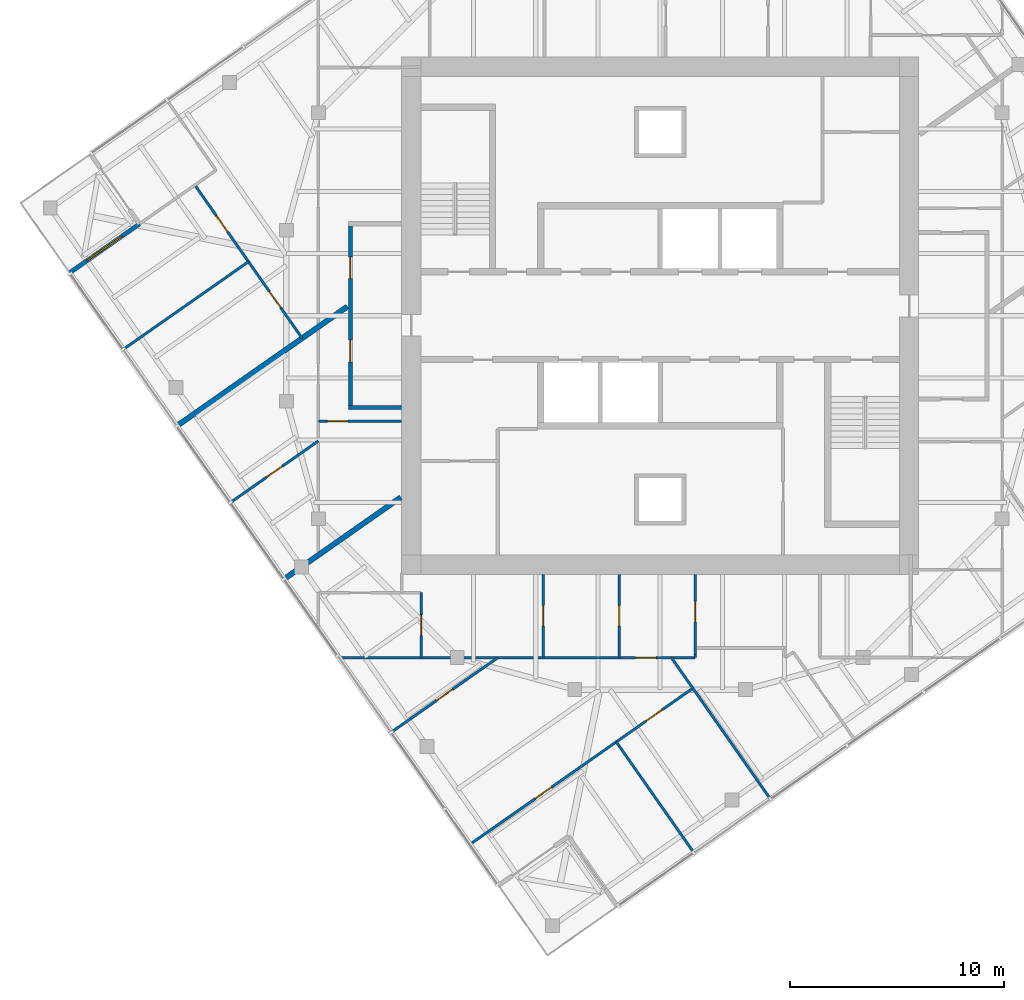
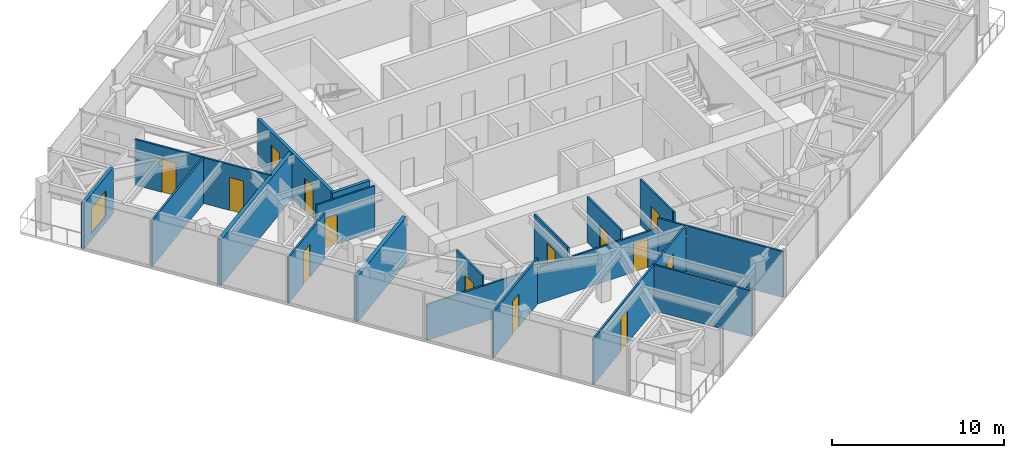
# One storey, part 7 of 12: 19 walls, 14 doors, 1 window, 15 openings.
"""IFC4 building model written with IfcOpenShell, lengths in metres."""

from ifc_helpers import new_model, si_unit, direction, frame, frame_2d, origin, place, context, subcontext, project, spatial, rectangle, extrude, material, layer, layer_set, type_object, element, fill, save


model = new_model("IFC4")

# Units and contexts
model_context = context("Model", 3, precision=1e-05, world=origin(), true_north=direction((0.0, 1.0)))
body_context = subcontext(model_context, "Body", "Model", "MODEL_VIEW")
ifc_project = project(units=[si_unit("LENGTHUNIT", "METRE"), si_unit("AREAUNIT", "SQUARE_METRE"), si_unit("VOLUMEUNIT", "CUBIC_METRE"), si_unit("PLANEANGLEUNIT", "RADIAN"), si_unit("MASSUNIT", "GRAM", prefix="KILO")], contexts=[model_context])

# Site, building, storey
site_placement = place(None, origin())
site = spatial("IfcSite", under=ifc_project, at=site_placement, CompositionType="ELEMENT")
building_placement = place(site_placement, origin())
building = spatial("IfcBuilding", under=site, at=building_placement, Name="Torsade Residences", CompositionType="ELEMENT")
storey_placement = place(building_placement, frame((0.0, 0.0, 250.60009765625)))
storey = spatial("IfcBuildingStorey", under=building, at=storey_placement, Name="L69", CompositionType="ELEMENT", Elevation=250.60009765625)

# Wall, openings, doors
ifc_material_1 = material(Name="Plasterboard on steel stud", Category="steel")
ifc_layer_1 = layer(ifc_material_1, 0.199951171875)
ifc_layer_set_1 = layer_set([ifc_layer_1], Name="Plasterboard on steel stud")
wall_type_1 = type_object("IfcWallType", Name="CORRIDOR WALL 200", PredefinedType="PARTITIONING", material=ifc_layer_set_1)
wall_1_placement = place(storey_placement, frame((25.5, 25.699951171875, 0.0), z_axis=(0.0, 0.0, 1.0), x_axis=(0.0, 1.0, 0.0)))
wall_1 = element("IfcWall", 1, at=wall_1_placement, inside=storey, type_object=wall_type_1, Name="Corridor wall L69", PredefinedType="PARTITIONING", context=body_context, shape_type="SweptSolid", body=[
    extrude(rectangle(XDim=8.60009765625, YDim=0.199951171875, at=frame_2d((4.300048828125, 0.0))), origin(), (0.0, 0.0, 1.0), 3.25),
])
opening_1_placement = place(wall_1_placement, frame((2.14208984375, 0.0, 0.0)))
opening_1 = element("IfcOpeningElement", 2, at=opening_1_placement, cuts=wall_1, Name="Opening D01", PredefinedType="OPENING", context=body_context, shape_type="SweptSolid", body=[
    extrude(rectangle(XDim=1.02001953125, YDim=2.340087890625, at=frame_2d((0.510009765625, 1.169921875))), frame((0.0, 0.10986328125, 0.0), z_axis=(0.0, -1.0, 0.0), x_axis=(1.0, 0.0, 0.0)), (0.0, 0.0, 1.0), 0.219970703125),
])
opening_2_placement = place(wall_1_placement, frame((6.036865234375, 0.0, 0.0)))
opening_2 = element("IfcOpeningElement", 3, at=opening_2_placement, cuts=wall_1, Name="Opening D01", PredefinedType="OPENING", context=body_context, shape_type="SweptSolid", body=[
    extrude(rectangle(XDim=1.02001953125, YDim=2.340087890625, at=frame_2d((0.510009765625, 1.169921875))), frame((0.0, 0.10986328125, 0.0), z_axis=(0.0, -1.0, 0.0), x_axis=(1.0, 0.0, 0.0)), (0.0, 0.0, 1.0), 0.219970703125),
])
ifc_material_2 = material(Name="Solid-core timber fire door", Category="wood")
door_type_1 = type_object("IfcDoorType", Name="APARTMENT ENTRY DOOR 1020x2340", OperationType="NOTDEFINED", PredefinedType="DOOR", material=ifc_material_2)
door_1_placement = place(opening_1_placement, origin())
door_1 = element("IfcDoor", 4, at=door_1_placement, inside=storey, type_object=door_type_1, Name="Door Residential corridor to Kitchen and dining", OperationType="SINGLE_SWING_RIGHT", OverallHeight=2.340087890625, OverallWidth=1.02001953125, PredefinedType="DOOR", context=body_context, shape_type="SweptSolid", body=[
    extrude(rectangle(XDim=1.02001953125, YDim=2.340087890625, at=frame_2d((0.510009765625, 1.169921875))), frame((0.0, 0.02490234375, 0.0), z_axis=(0.0, -1.0, 0.0), x_axis=(1.0, 0.0, 0.0)), (0.0, 0.0, 1.0), 0.050048828125),
])
fill(opening_1, door_1)
door_2_placement = place(opening_2_placement, origin())
door_2 = element("IfcDoor", 5, at=door_2_placement, inside=storey, type_object=door_type_1, Name="Door Residential corridor to Kitchen and dining", OperationType="SINGLE_SWING_LEFT", OverallHeight=2.340087890625, OverallWidth=1.02001953125, PredefinedType="DOOR", context=body_context, shape_type="SweptSolid", body=[
    extrude(rectangle(XDim=1.02001953125, YDim=2.340087890625, at=frame_2d((0.510009765625, 1.169921875))), frame((0.0, 0.02490234375, 0.0), z_axis=(0.0, -1.0, 0.0), x_axis=(1.0, 0.0, 0.0)), (0.0, 0.0, 1.0), 0.050048828125),
])
fill(opening_2, door_2)

# Wall
wall_2_placement = place(storey_placement, frame((27.89990234375, 25.699951171875, 0.0), z_axis=(0.0, 0.0, 1.0), x_axis=(-1.0, 0.0, 0.0)))
element("IfcWall", 6, at=wall_2_placement, inside=storey, type_object=wall_type_1, Name="Corridor wall L69", PredefinedType="PARTITIONING", context=body_context, shape_type="SweptSolid", body=[
    extrude(rectangle(XDim=2.5, YDim=0.199951171875, at=frame_2d((1.25, 0.0))), origin(), (0.0, 0.0, 1.0), 3.25),
])

# Wall, opening, door
ifc_material_3 = material(Name="Plasterboard on steel stud", Category="steel")
ifc_layer_2 = layer(ifc_material_3, 0.1201171875)
ifc_layer_set_2 = layer_set([ifc_layer_2], Name="Plasterboard on steel stud")
wall_type_2 = type_object("IfcWallType", Name="PARTITION 120", PredefinedType="PARTITIONING", material=ifc_layer_set_2)
wall_3_placement = place(storey_placement, frame((27.89990234375, 25.06787109375, 0.0), z_axis=(0.0, 0.0, 1.0), x_axis=(-1.0, 0.0, 0.0)))
wall_3 = element("IfcWall", 7, at=wall_3_placement, inside=storey, type_object=wall_type_2, Name="Partition L69", PredefinedType="PARTITIONING", context=body_context, shape_type="SweptSolid", body=[
    extrude(rectangle(XDim=3.89990234375, YDim=0.1201171875, at=frame_2d((1.949951171875, 0.0))), origin(), (0.0, 0.0, 1.0), 3.25),
])
opening_3_placement = place(wall_3_placement, frame((2.52001953125, 0.0, 0.0)))
opening_3 = element("IfcOpeningElement", 8, at=opening_3_placement, cuts=wall_3, Name="Opening D05", PredefinedType="OPENING", context=body_context, shape_type="SweptSolid", body=[
    extrude(rectangle(XDim=0.9599609375, YDim=2.10009765625, at=frame_2d((0.47998046875, 1.050048828125))), frame((0.0, 0.070068359375, 0.0), z_axis=(0.0, -1.0, 0.0), x_axis=(1.0, 0.0, 0.0)), (0.0, 0.0, 1.0), 0.14013671875),
])
ifc_material_4 = material(Name="Hollow-core timber door in a steel cavity frame", Category="steel")
door_type_2 = type_object("IfcDoorType", Name="BATHROOM CAVITY SLIDING DOOR 960", OperationType="SLIDING_TO_LEFT", PredefinedType="DOOR", material=ifc_material_4)
door_3_placement = place(opening_3_placement, origin())
door_3 = element("IfcDoor", 9, at=door_3_placement, inside=storey, type_object=door_type_2, Name="Door Kitchen and dining to Bathroom", OperationType="SLIDING_TO_LEFT", OverallHeight=2.10009765625, OverallWidth=0.9599609375, PredefinedType="DOOR", context=body_context, shape_type="SweptSolid", body=[
    extrude(rectangle(XDim=0.9599609375, YDim=2.10009765625, at=frame_2d((0.47998046875, 1.050048828125))), frame((0.0, 0.02490234375, 0.0), z_axis=(0.0, -1.0, 0.0), x_axis=(1.0, 0.0, 0.0)), (0.0, 0.0, 1.0), 0.050048828125),
])
fill(opening_3, door_3)

wall_4_placement = place(storey_placement, frame((24.0, 24.1376953125, 0.0), z_axis=(0.0, 0.0, 1.0), x_axis=(-0.819144584763, -0.57358708951, 0.0)))
wall_4 = element("IfcWall", 10, at=wall_4_placement, inside=storey, type_object=wall_type_2, Name="Partition L69", PredefinedType="PARTITIONING", context=body_context, shape_type="SweptSolid", body=[
    extrude(rectangle(XDim=4.990966796875, YDim=0.1201171875, at=frame_2d((2.49560546875, 0.0))), origin(), (0.0, 0.0, 1.0), 3.25),
])
opening_4_placement = place(wall_4_placement, frame((2.055419921875, 0.0, 0.0)))
opening_4 = element("IfcOpeningElement", 11, at=opening_4_placement, cuts=wall_4, Name="Opening D02", PredefinedType="OPENING", context=body_context, shape_type="SweptSolid", body=[
    extrude(rectangle(XDim=0.919921875, YDim=2.340087890625, at=frame_2d((0.4599609375, 1.169921875))), frame((0.0, 0.070068359375, 0.0), z_axis=(0.0, -1.0, 0.0), x_axis=(1.0, 0.0, 0.0)), (0.0, 0.0, 1.0), 0.14013671875),
])
ifc_material_5 = material(Name="Hollow-core timber door", Category="wood")
door_type_3 = type_object("IfcDoorType", Name="INTERNAL DOOR 920x2340", OperationType="NOTDEFINED", PredefinedType="DOOR", material=ifc_material_5)
door_4_placement = place(opening_4_placement, origin())
door_4 = element("IfcDoor", 12, at=door_4_placement, inside=storey, type_object=door_type_3, Name="Door Living room to Bedroom 1", OperationType="SINGLE_SWING_LEFT", OverallHeight=2.340087890625, OverallWidth=0.919921875, PredefinedType="DOOR", context=body_context, shape_type="SweptSolid", body=[
    extrude(rectangle(XDim=0.919921875, YDim=2.340087890625, at=frame_2d((0.4599609375, 1.169921875))), frame((0.0, 0.02490234375, 0.0), z_axis=(0.0, -1.0, 0.0), x_axis=(1.0, 0.0, 0.0)), (0.0, 0.0, 1.0), 0.050048828125),
])
fill(opening_4, door_4)

wall_5_placement = place(storey_placement, frame((28.80712890625, 17.041259765625, 0.0), z_axis=(0.0, 0.0, 1.0), x_axis=(0.0, -1.0, 0.0)))
wall_5 = element("IfcWall", 13, at=wall_5_placement, inside=storey, type_object=wall_type_2, Name="Partition L69", PredefinedType="PARTITIONING", context=body_context, shape_type="SweptSolid", body=[
    extrude(rectangle(XDim=3.041259765625, YDim=0.1201171875, at=frame_2d((1.5205078125, 0.0))), origin(), (0.0, 0.0, 1.0), 3.25),
])
opening_5_placement = place(wall_5_placement, frame((1.04052734375, 0.0, 0.0)))
opening_5 = element("IfcOpeningElement", 14, at=opening_5_placement, cuts=wall_5, Name="Opening D05", PredefinedType="OPENING", context=body_context, shape_type="SweptSolid", body=[
    extrude(rectangle(XDim=0.9599609375, YDim=2.10009765625, at=frame_2d((0.47998046875, 1.050048828125))), frame((0.0, 0.070068359375, 0.0), z_axis=(0.0, -1.0, 0.0), x_axis=(1.0, 0.0, 0.0)), (0.0, 0.0, 1.0), 0.14013671875),
])
door_5_placement = place(opening_5_placement, origin())
door_5 = element("IfcDoor", 15, at=door_5_placement, inside=storey, type_object=door_type_2, Name="Door WC to Dressing room", OperationType="SLIDING_TO_LEFT", OverallHeight=2.10009765625, OverallWidth=0.9599609375, PredefinedType="DOOR", context=body_context, shape_type="SweptSolid", body=[
    extrude(rectangle(XDim=0.9599609375, YDim=2.10009765625, at=frame_2d((0.47998046875, 1.050048828125))), frame((0.0, 0.02490234375, 0.0), z_axis=(0.0, -1.0, 0.0), x_axis=(1.0, 0.0, 0.0)), (0.0, 0.0, 1.0), 0.050048828125),
])
fill(opening_5, door_5)

wall_6_placement = place(storey_placement, frame((41.633544921875, 14.0, 0.0), z_axis=(0.0, 0.0, 1.0), x_axis=(-1.0, 0.0, 0.0)))
wall_6 = element("IfcWall", 16, at=wall_6_placement, inside=storey, type_object=wall_type_2, Name="Partition L69", PredefinedType="PARTITIONING", context=body_context, shape_type="SweptSolid", body=[
    extrude(rectangle(XDim=16.6279296875, YDim=0.1201171875, at=frame_2d((8.31396484375, 0.0))), origin(), (0.0, 0.0, 1.0), 2.5498046875),
])
opening_6_placement = place(wall_6_placement, frame((1.8212890625, 0.0, 0.0)))
opening_6 = element("IfcOpeningElement", 17, at=opening_6_placement, cuts=wall_6, Name="Opening D05", PredefinedType="OPENING", context=body_context, shape_type="SweptSolid", body=[
    extrude(rectangle(XDim=0.9599609375, YDim=2.10009765625, at=frame_2d((0.47998046875, 1.050048828125))), frame((0.0, 0.070068359375, 0.0), z_axis=(0.0, -1.0, 0.0), x_axis=(1.0, 0.0, 0.0)), (0.0, 0.0, 1.0), 0.14013671875),
])
door_6_placement = place(opening_6_placement, origin())
door_6 = element("IfcDoor", 18, at=door_6_placement, inside=storey, type_object=door_type_2, Name="Door Ensuite to Living room", OperationType="SLIDING_TO_LEFT", OverallHeight=2.10009765625, OverallWidth=0.9599609375, PredefinedType="DOOR", context=body_context, shape_type="SweptSolid", body=[
    extrude(rectangle(XDim=0.9599609375, YDim=2.10009765625, at=frame_2d((0.47998046875, 1.050048828125))), frame((0.0, 0.02490234375, 0.0), z_axis=(0.0, -1.0, 0.0), x_axis=(1.0, 0.0, 0.0)), (0.0, 0.0, 1.0), 0.050048828125),
])
fill(opening_6, door_6)

wall_7_placement = place(storey_placement, frame((34.5302734375, 17.89990234375, 0.0), z_axis=(0.0, 0.0, 1.0), x_axis=(0.0, -1.0, 0.0)))
wall_7 = element("IfcWall", 19, at=wall_7_placement, inside=storey, type_object=wall_type_2, Name="Partition L69", PredefinedType="PARTITIONING", context=body_context, shape_type="SweptSolid", body=[
    extrude(rectangle(XDim=3.89990234375, YDim=0.1201171875, at=frame_2d((1.949951171875, 0.0))), origin(), (0.0, 0.0, 1.0), 3.25),
])
opening_7_placement = place(wall_7_placement, frame((1.469970703125, 0.0, 0.0)))
opening_7 = element("IfcOpeningElement", 20, at=opening_7_placement, cuts=wall_7, Name="Opening D05", PredefinedType="OPENING", context=body_context, shape_type="SweptSolid", body=[
    extrude(rectangle(XDim=0.9599609375, YDim=2.10009765625, at=frame_2d((0.47998046875, 1.050048828125))), frame((0.0, 0.070068359375, 0.0), z_axis=(0.0, -1.0, 0.0), x_axis=(1.0, 0.0, 0.0)), (0.0, 0.0, 1.0), 0.14013671875),
])
door_7_placement = place(opening_7_placement, origin())
door_7 = element("IfcDoor", 21, at=door_7_placement, inside=storey, type_object=door_type_2, Name="Door Dressing room 2 to WC", OperationType="SLIDING_TO_LEFT", OverallHeight=2.10009765625, OverallWidth=0.9599609375, PredefinedType="DOOR", context=body_context, shape_type="SweptSolid", body=[
    extrude(rectangle(XDim=0.9599609375, YDim=2.10009765625, at=frame_2d((0.47998046875, 1.050048828125))), frame((0.0, 0.02490234375, 0.0), z_axis=(0.0, -1.0, 0.0), x_axis=(1.0, 0.0, 0.0)), (0.0, 0.0, 1.0), 0.050048828125),
])
fill(opening_7, door_7)

wall_8_placement = place(storey_placement, frame((38.081787109375, 14.0, 0.0), z_axis=(0.0, 0.0, 1.0), x_axis=(0.0, 1.0, 0.0)))
wall_8 = element("IfcWall", 22, at=wall_8_placement, inside=storey, type_object=wall_type_2, Name="Partition L69", PredefinedType="PARTITIONING", context=body_context, shape_type="SweptSolid", body=[
    extrude(rectangle(XDim=3.89990234375, YDim=0.1201171875, at=frame_2d((1.949951171875, 0.0))), origin(), (0.0, 0.0, 1.0), 3.25),
])
opening_8_placement = place(wall_8_placement, frame((1.469970703125, 0.0, 0.0)))
opening_8 = element("IfcOpeningElement", 23, at=opening_8_placement, cuts=wall_8, Name="Opening D05", PredefinedType="OPENING", context=body_context, shape_type="SweptSolid", body=[
    extrude(rectangle(XDim=0.9599609375, YDim=2.10009765625, at=frame_2d((0.47998046875, 1.050048828125))), frame((0.0, 0.070068359375, 0.0), z_axis=(0.0, -1.0, 0.0), x_axis=(1.0, 0.0, 0.0)), (0.0, 0.0, 1.0), 0.14013671875),
])
door_8_placement = place(opening_8_placement, origin())
door_8 = element("IfcDoor", 24, at=door_8_placement, inside=storey, type_object=door_type_2, Name="Door Ensuite to Dressing room 2", OperationType="SLIDING_TO_LEFT", OverallHeight=2.10009765625, OverallWidth=0.9599609375, PredefinedType="DOOR", context=body_context, shape_type="SweptSolid", body=[
    extrude(rectangle(XDim=0.9599609375, YDim=2.10009765625, at=frame_2d((0.47998046875, 1.050048828125))), frame((0.0, 0.02490234375, 0.0), z_axis=(0.0, -1.0, 0.0), x_axis=(1.0, 0.0, 0.0)), (0.0, 0.0, 1.0), 0.050048828125),
])
fill(opening_8, door_8)

wall_9_placement = place(storey_placement, frame((41.633544921875, 17.89990234375, 0.0), z_axis=(0.0, 0.0, 1.0), x_axis=(0.0, -1.0, 0.0)))
wall_9 = element("IfcWall", 25, at=wall_9_placement, inside=storey, type_object=wall_type_2, Name="Partition L69", PredefinedType="PARTITIONING", context=body_context, shape_type="SweptSolid", body=[
    extrude(rectangle(XDim=3.74560546875, YDim=0.1201171875, at=frame_2d((1.872802734375, 0.0))), origin(), (0.0, 0.0, 1.0), 3.25),
])
opening_9_placement = place(wall_9_placement, frame((1.27001953125, 0.0, 0.0)))
opening_9 = element("IfcOpeningElement", 26, at=opening_9_placement, cuts=wall_9, Name="Opening D05", PredefinedType="OPENING", context=body_context, shape_type="SweptSolid", body=[
    extrude(rectangle(XDim=0.9599609375, YDim=2.10009765625, at=frame_2d((0.47998046875, 1.050048828125))), frame((0.0, 0.070068359375, 0.0), z_axis=(0.0, -1.0, 0.0), x_axis=(1.0, 0.0, 0.0)), (0.0, 0.0, 1.0), 0.14013671875),
])
door_9_placement = place(opening_9_placement, origin())
door_9 = element("IfcDoor", 27, at=door_9_placement, inside=storey, type_object=door_type_2, Name="Door Dining room to Ensuite", OperationType="SLIDING_TO_LEFT", OverallHeight=2.10009765625, OverallWidth=0.9599609375, PredefinedType="DOOR", context=body_context, shape_type="SweptSolid", body=[
    extrude(rectangle(XDim=0.9599609375, YDim=2.10009765625, at=frame_2d((0.47998046875, 1.050048828125))), frame((0.0, 0.02490234375, 0.0), z_axis=(0.0, -1.0, 0.0), x_axis=(1.0, 0.0, 0.0)), (0.0, 0.0, 1.0), 0.050048828125),
])
fill(opening_9, door_9)

# Wall, openings, doors
wall_10_placement = place(storey_placement, frame((41.528076171875, 12.5625, 0.0), z_axis=(0.0, 0.0, 1.0), x_axis=(-0.819155207289, -0.573571919092, 0.0)))
wall_10 = element("IfcWall", 28, at=wall_10_placement, inside=storey, type_object=wall_type_2, Name="Partition L69", PredefinedType="PARTITIONING", context=body_context, shape_type="SweptSolid", body=[
    extrude(rectangle(XDim=12.7099609375, YDim=0.1201171875, at=frame_2d((6.35498046875, 0.0))), origin(), (0.0, 0.0, 1.0), 3.25),
])
opening_10_placement = place(wall_10_placement, frame((8.077392578125, 0.0, 0.0)))
opening_10 = element("IfcOpeningElement", 29, at=opening_10_placement, cuts=wall_10, Name="Opening D02", PredefinedType="OPENING", context=body_context, shape_type="SweptSolid", body=[
    extrude(rectangle(XDim=0.919921875, YDim=2.340087890625, at=frame_2d((0.4599609375, 1.169921875))), frame((0.0, 0.070068359375, 0.0), z_axis=(0.0, -1.0, 0.0), x_axis=(1.0, 0.0, 0.0)), (0.0, 0.0, 1.0), 0.14013671875),
])
opening_11_placement = place(wall_10_placement, frame((1.75244140625, 0.0, 0.0)))
opening_11 = element("IfcOpeningElement", 30, at=opening_11_placement, cuts=wall_10, Name="Opening D02", PredefinedType="OPENING", context=body_context, shape_type="SweptSolid", body=[
    extrude(rectangle(XDim=0.919921875, YDim=2.340087890625, at=frame_2d((0.4599609375, 1.169921875))), frame((0.0, 0.070068359375, 0.0), z_axis=(0.0, -1.0, 0.0), x_axis=(1.0, 0.0, 0.0)), (0.0, 0.0, 1.0), 0.14013671875),
])
door_10_placement = place(opening_10_placement, origin())
door_10 = element("IfcDoor", 31, at=door_10_placement, inside=storey, type_object=door_type_3, Name="Door Living room to Bedroom 1", OperationType="SINGLE_SWING_LEFT", OverallHeight=2.340087890625, OverallWidth=0.919921875, PredefinedType="DOOR", context=body_context, shape_type="SweptSolid", body=[
    extrude(rectangle(XDim=0.919921875, YDim=2.340087890625, at=frame_2d((0.4599609375, 1.169921875))), frame((0.0, 0.02490234375, 0.0), z_axis=(0.0, -1.0, 0.0), x_axis=(1.0, 0.0, 0.0)), (0.0, 0.0, 1.0), 0.050048828125),
])
fill(opening_10, door_10)
door_11_placement = place(opening_11_placement, origin())
door_11 = element("IfcDoor", 32, at=door_11_placement, inside=storey, type_object=door_type_3, Name="Door Living room to Study 2", OperationType="SINGLE_SWING_LEFT", OverallHeight=2.340087890625, OverallWidth=0.919921875, PredefinedType="DOOR", context=body_context, shape_type="SweptSolid", body=[
    extrude(rectangle(XDim=0.919921875, YDim=2.340087890625, at=frame_2d((0.4599609375, 1.169921875))), frame((0.0, 0.02490234375, 0.0), z_axis=(0.0, -1.0, 0.0), x_axis=(1.0, 0.0, 0.0)), (0.0, 0.0, 1.0), 0.050048828125),
])
fill(opening_11, door_11)

# Wall
wall_11_placement = place(storey_placement, frame((40.521484375, 14.0, 0.0), z_axis=(0.0, 0.0, 1.0), x_axis=(0.573574225095, -0.819153592623, 0.0)))
element("IfcWall", 33, at=wall_11_placement, inside=storey, type_object=wall_type_2, Name="Partition L69", PredefinedType="PARTITIONING", context=body_context, shape_type="SweptSolid", body=[
    extrude(rectangle(XDim=8.054443359375, YDim=0.1201171875, at=frame_2d((4.02734375, 0.0))), origin(), (0.0, 0.0, 1.0), 3.25),
])

# Wall, opening, door
wall_12_placement = place(storey_placement, frame((27.439697265625, 10.5234375, 0.0), z_axis=(0.0, 0.0, 1.0), x_axis=(0.81915432861, 0.573573173989, 0.0)))
wall_12 = element("IfcWall", 34, at=wall_12_placement, inside=storey, type_object=wall_type_2, Name="Partition L69", PredefinedType="PARTITIONING", context=body_context, shape_type="SweptSolid", body=[
    extrude(rectangle(XDim=6.061279296875, YDim=0.1201171875, at=frame_2d((3.03076171875, 0.0))), origin(), (0.0, 0.0, 1.0), 3.25),
])
opening_12_placement = place(wall_12_placement, frame((2.550537109375, 0.0, 0.0)))
opening_12 = element("IfcOpeningElement", 35, at=opening_12_placement, cuts=wall_12, Name="Opening D02", PredefinedType="OPENING", context=body_context, shape_type="SweptSolid", body=[
    extrude(rectangle(XDim=0.919921875, YDim=2.340087890625, at=frame_2d((0.4599609375, 1.169921875))), frame((0.0, 0.070068359375, 0.0), z_axis=(0.0, -1.0, 0.0), x_axis=(1.0, 0.0, 0.0)), (0.0, 0.0, 1.0), 0.14013671875),
])
door_12_placement = place(opening_12_placement, origin())
door_12 = element("IfcDoor", 36, at=door_12_placement, inside=storey, type_object=door_type_3, Name="Door Living room to Family room 2", OperationType="SINGLE_SWING_RIGHT", OverallHeight=2.340087890625, OverallWidth=0.919921875, PredefinedType="DOOR", context=body_context, shape_type="SweptSolid", body=[
    extrude(rectangle(XDim=0.919921875, YDim=2.340087890625, at=frame_2d((0.4599609375, 1.169921875))), frame((0.0, 0.02490234375, 0.0), z_axis=(0.0, -1.0, 0.0), x_axis=(1.0, 0.0, 0.0)), (0.0, 0.0, 1.0), 0.050048828125),
])
fill(opening_12, door_12)

# Wall
wall_13_placement = place(storey_placement, frame((37.9443359375, 10.052978515625, 0.0), z_axis=(0.0, 0.0, 1.0), x_axis=(0.573587188897, -0.81914451517, 0.0)))
element("IfcWall", 37, at=wall_13_placement, inside=storey, type_object=wall_type_2, Name="Partition L69", PredefinedType="PARTITIONING", context=body_context, shape_type="SweptSolid", body=[
    extrude(rectangle(XDim=6.299560546875, YDim=0.1201171875, at=frame_2d((3.14990234375, 0.0))), origin(), (0.0, 0.0, 1.0), 3.25),
])

# Wall, openings, doors
wall_14_placement = place(storey_placement, frame((23.240234375, 28.946533203125, 0.0), z_axis=(0.0, 0.0, 1.0), x_axis=(-0.573582185905, 0.819148018378, 0.0)))
wall_14 = element("IfcWall", 38, at=wall_14_placement, inside=storey, type_object=wall_type_2, Name="Partition L69", PredefinedType="PARTITIONING", context=body_context, shape_type="SweptSolid", body=[
    extrude(rectangle(XDim=8.75, YDim=0.1201171875, at=frame_2d((4.375, 0.0))), origin(), (0.0, 0.0, 1.0), 3.25),
])
opening_13_placement = place(wall_14_placement, frame((6.07763671875, 0.0, 0.0)))
opening_13 = element("IfcOpeningElement", 39, at=opening_13_placement, cuts=wall_14, Name="Opening D02", PredefinedType="OPENING", context=body_context, shape_type="SweptSolid", body=[
    extrude(rectangle(XDim=0.919921875, YDim=2.340087890625, at=frame_2d((0.4599609375, 1.169921875))), frame((0.0, 0.070068359375, 0.0), z_axis=(0.0, -1.0, 0.0), x_axis=(1.0, 0.0, 0.0)), (0.0, 0.0, 1.0), 0.14013671875),
])
opening_14_placement = place(wall_14_placement, frame((1.75244140625, 0.0, 0.0)))
opening_14 = element("IfcOpeningElement", 40, at=opening_14_placement, cuts=wall_14, Name="Opening D02", PredefinedType="OPENING", context=body_context, shape_type="SweptSolid", body=[
    extrude(rectangle(XDim=0.919921875, YDim=2.340087890625, at=frame_2d((0.4599609375, 1.169921875))), frame((0.0, 0.070068359375, 0.0), z_axis=(0.0, -1.0, 0.0), x_axis=(1.0, 0.0, 0.0)), (0.0, 0.0, 1.0), 0.14013671875),
])
door_13_placement = place(opening_13_placement, origin())
door_13 = element("IfcDoor", 41, at=door_13_placement, inside=storey, type_object=door_type_3, Name="Door Living room to Bedroom 3", OperationType="SINGLE_SWING_LEFT", OverallHeight=2.340087890625, OverallWidth=0.919921875, PredefinedType="DOOR", context=body_context, shape_type="SweptSolid", body=[
    extrude(rectangle(XDim=0.919921875, YDim=2.340087890625, at=frame_2d((0.4599609375, 1.169921875))), frame((0.0, 0.02490234375, 0.0), z_axis=(0.0, -1.0, 0.0), x_axis=(1.0, 0.0, 0.0)), (0.0, 0.0, 1.0), 0.050048828125),
])
fill(opening_13, door_13)
door_14_placement = place(opening_14_placement, origin())
door_14 = element("IfcDoor", 42, at=door_14_placement, inside=storey, type_object=door_type_3, Name="Door Living room to Bedroom 4", OperationType="SINGLE_SWING_RIGHT", OverallHeight=2.340087890625, OverallWidth=0.919921875, PredefinedType="DOOR", context=body_context, shape_type="SweptSolid", body=[
    extrude(rectangle(XDim=0.919921875, YDim=2.340087890625, at=frame_2d((0.4599609375, 1.169921875))), frame((0.0, 0.02490234375, 0.0), z_axis=(0.0, -1.0, 0.0), x_axis=(1.0, 0.0, 0.0)), (0.0, 0.0, 1.0), 0.050048828125),
])
fill(opening_14, door_14)

# Walls
wall_15_placement = place(storey_placement, frame((20.73095703125, 32.5302734375, 0.0), z_axis=(0.0, 0.0, 1.0), x_axis=(-0.819153056029, -0.573574991434, 0.0)))
element("IfcWall", 43, at=wall_15_placement, inside=storey, type_object=wall_type_2, Name="Partition L69", PredefinedType="PARTITIONING", context=body_context, shape_type="SweptSolid", body=[
    extrude(rectangle(XDim=7.126953125, YDim=0.1201171875, at=frame_2d((3.5634765625, 0.0))), origin(), (0.0, 0.0, 1.0), 3.25),
])
wall_16_placement = place(storey_placement, frame((41.633544921875, 14.0, 0.0), z_axis=(0.0, 0.0, 1.0), x_axis=(0.0, 1.0, 0.0)))
element("IfcWall", 44, at=wall_16_placement, inside=storey, type_object=wall_type_2, Name="Partition L69", PredefinedType="PARTITIONING", context=body_context, shape_type="SweptSolid", body=[
    extrude(rectangle(XDim=0.154296875, YDim=0.1201171875, at=frame_2d((0.0771484375, 0.0))), origin(), (0.0, 0.0, 1.0), 3.25),
])
ifc_material_6 = material(Name="Masonry-lined stud party wall", Category="masonry")
ifc_layer_3 = layer(ifc_material_6, 0.25)
ifc_layer_set_3 = layer_set([ifc_layer_3], Name="Masonry-lined stud party wall")
wall_type_3 = type_object("IfcWallType", Name="PARTY WALL 250", PredefinedType="PARTITIONING", material=ifc_layer_set_3)
wall_17_placement = place(storey_placement, frame((22.38818359375, 17.668212890625, 0.0), z_axis=(0.0, 0.0, 1.0), x_axis=(0.819161528122, 0.573562891796, 0.0)))
element("IfcWall", 45, at=wall_17_placement, inside=storey, type_object=wall_type_3, Name="Party wall L69", PredefinedType="PARTITIONING", context=body_context, shape_type="SweptSolid", body=[
    extrude(rectangle(XDim=6.68115234375, YDim=0.25, at=frame_2d((3.340576171875, 0.0))), origin(), (0.0, 0.0, 1.0), 3.25),
])
wall_18_placement = place(storey_placement, frame((17.369384765625, 24.835693359375, 0.0), z_axis=(0.0, 0.0, 1.0), x_axis=(0.81915902312, 0.573566469418, 0.0)))
element("IfcWall", 46, at=wall_18_placement, inside=storey, type_object=wall_type_3, Name="Party wall L69", PredefinedType="PARTITIONING", context=body_context, shape_type="SweptSolid", body=[
    extrude(rectangle(XDim=9.755859375, YDim=0.25, at=frame_2d((4.8779296875, 0.0))), origin(), (0.0, 0.0, 1.0), 3.25),
])

# Wall, opening, window
ifc_material_7 = material(Name="Stone-faced precast concrete 40 MPa panel", Category="masonry")
ifc_layer_4 = layer(ifc_material_7, 0.199951171875)
ifc_layer_set_4 = layer_set([ifc_layer_4], Name="Stone-faced precast concrete 40 MPa panel")
wall_type_4 = type_object("IfcWallType", Name="TERRACE WALL 200", PredefinedType="SOLIDWALL", material=ifc_layer_set_4)
wall_19_placement = place(storey_placement, frame((15.627197265625, 34.297607421875, 0.0), z_axis=(0.0, 0.0, 1.0), x_axis=(-0.819137286189, -0.573597512525, 0.0)))
wall_19 = element("IfcWall", 47, at=wall_19_placement, inside=storey, type_object=wall_type_4, Name="Terrace wall L69 9", PredefinedType="SOLIDWALL", context=body_context, shape_type="SweptSolid", body=[
    extrude(rectangle(XDim=4.0, YDim=0.199951171875, at=frame_2d((2.0, 0.0))), origin(), (0.0, 0.0, 1.0), 3.25),
])
opening_15_placement = place(wall_19_placement, frame((1.0, 0.0, 0.449951171875)))
opening_15 = element("IfcOpeningElement", 48, at=opening_15_placement, cuts=wall_19, Name="Opening W1B", PredefinedType="OPENING", context=body_context, shape_type="SweptSolid", body=[
    extrude(rectangle(XDim=2.0, YDim=1.800048828125, at=frame_2d((1.0, 0.89990234375))), frame((0.0, 0.10986328125, 0.0), z_axis=(0.0, -1.0, 0.0), x_axis=(1.0, 0.0, 0.0)), (0.0, 0.0, 1.0), 0.219970703125),
])
ifc_material_8 = material(Name="Aluminium-framed glass window", Category="aluminium")
window_type = type_object("IfcWindowType", Name="TERRACE WINDOW 2000x1800", PartitioningType="SINGLE_PANEL", PredefinedType="WINDOW", material=ifc_material_8)
window_placement = place(opening_15_placement, origin())
window = element("IfcWindow", 49, at=window_placement, inside=storey, type_object=window_type, Name="Terrace window L69 9", OverallHeight=1.800048828125, OverallWidth=2.0, PartitioningType="SINGLE_PANEL", PredefinedType="WINDOW", context=body_context, shape_type="SweptSolid", body=[
    extrude(rectangle(XDim=2.0, YDim=1.800048828125, at=frame_2d((1.0, 0.89990234375))), frame((0.0, 0.030029296875, 0.0), z_axis=(0.0, -1.0, 0.0), x_axis=(1.0, 0.0, 0.0)), (0.0, 0.0, 1.0), 0.06005859375),
])
fill(opening_15, window)

save(model, "model.ifc")
